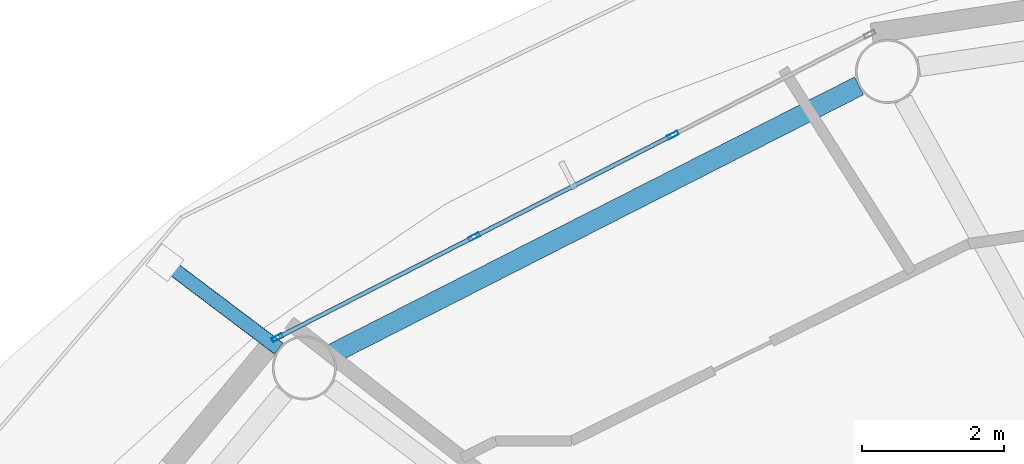
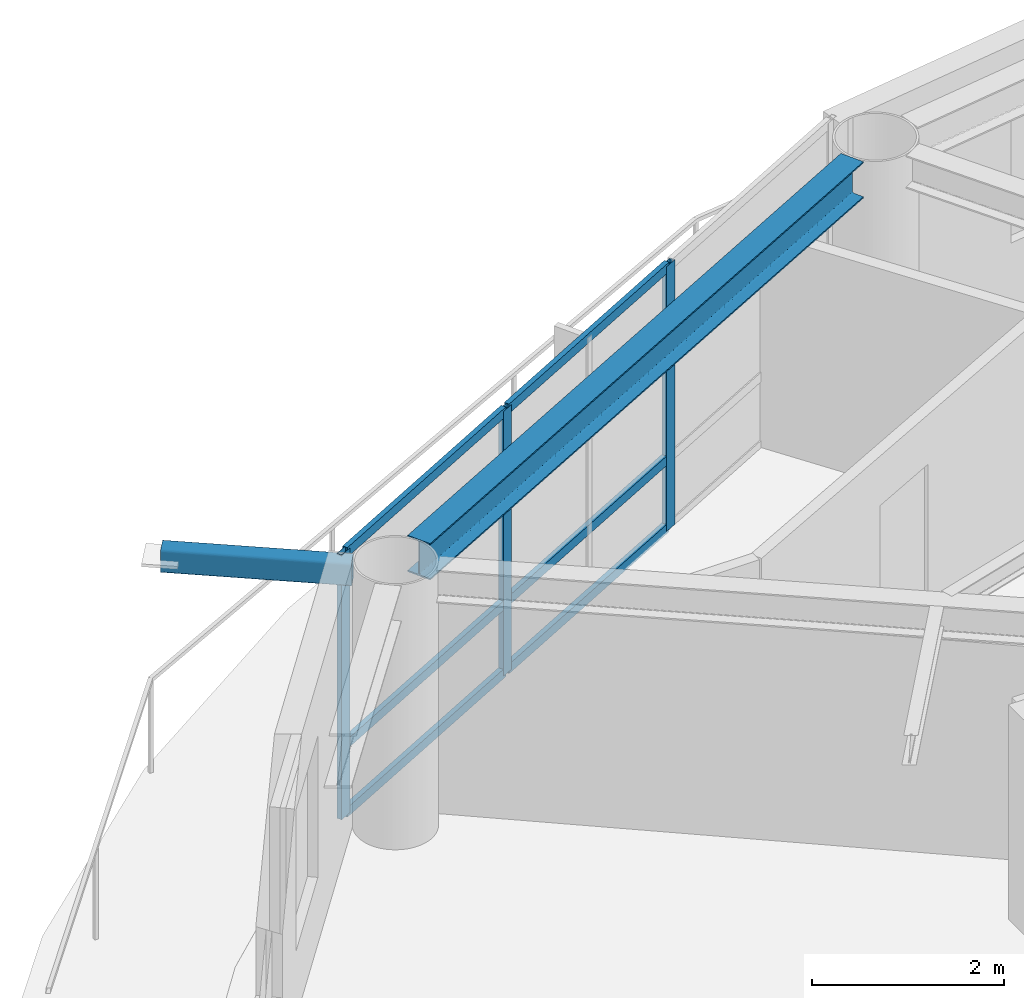
# One storey, part 8 of 22: 10 members, 1 beam, 1 element without a shape of its own.
"""IFC4 building model written with IfcOpenShell, lengths in metres."""

from ifc_helpers import new_model, si_unit, direction, frame, origin, origin_2d, place, context, subcontext, project, spatial, hollow_rectangle, i_section, extrude, material, layer, layer_set, material_profile, profile_set, type_object, element, aggregate, save


model = new_model("IFC4")

# Units and contexts
model_context = context("Model", 3, precision=1e-05, world=origin(), true_north=direction((0.0, 1.0)))
body_context = subcontext(model_context, "Body", "Model", "MODEL_VIEW")
ifc_project = project(units=[si_unit("LENGTHUNIT", "METRE"), si_unit("AREAUNIT", "SQUARE_METRE"), si_unit("VOLUMEUNIT", "CUBIC_METRE"), si_unit("PLANEANGLEUNIT", "RADIAN"), si_unit("MASSUNIT", "GRAM", prefix="KILO")], contexts=[model_context])

# Site, building, storey
site_placement = place(None, origin())
site = spatial("IfcSite", under=ifc_project, at=site_placement, CompositionType="ELEMENT")
building_placement = place(site_placement, origin())
building = spatial("IfcBuilding", under=site, at=building_placement, Name="Sarneth Arch Tower", CompositionType="ELEMENT")
storey_placement = place(building_placement, frame((0.0, 0.0, 301.800048828125)))
storey = spatial("IfcBuildingStorey", under=building, at=storey_placement, Name="L78", CompositionType="ELEMENT", Elevation=301.800048828125)

# Beam
ifc_material_1 = material(Name="Steel S355", Category="steel")
ifc_material_profile_1 = material_profile(ifc_material_1, i_section(OverallWidth=0.280029296875, OverallDepth=0.462890625, WebThickness=0.0107421875, FlangeThickness=0.017333984375, FilletRadius=0.01806640625, at=origin_2d()), Name="W460x113")
ifc_profile_set_1 = profile_set([ifc_material_profile_1], Name="Steel S355")
beam_type = type_object("IfcBeamType", Name="BM-RAD-460A", PredefinedType="BEAM", material=ifc_profile_set_1)
beam_placement = place(storey_placement, frame((37.80810546875, 59.534423828125, 3.138427734375), z_axis=(-0.891376248079, -0.453264144138, 0.0), x_axis=(0.453264144138, -0.891376248079, 0.0)))
element("IfcBeam", 1, at=beam_placement, inside=storey, type_object=beam_type, Name="L78 Perimeter spandrel beam 06", PredefinedType="BEAM", context=body_context, shape_type="SweptSolid", body=[
    extrude(i_section(OverallWidth=0.280029296875, OverallDepth=0.462890625, WebThickness=0.0107421875, FlangeThickness=0.017333984375, FilletRadius=0.01806640625, at=origin_2d()), origin(), (0.0, 0.0, 1.0), 8.281982421875),
])

# Curtain wall, members
ifc_material_2 = material(Name="Anodised aluminium Type AA25 and solar-control low-e laminated IGU", Category="aluminium")
ifc_layer = layer(ifc_material_2, 0.179931640625)
ifc_layer_set = layer_set([ifc_layer], Name="Anodised aluminium Type AA25 and solar-control low-e laminated IGU")
curtain_wall_type = type_object("IfcCurtainWallType", Name="CW-RES-HIGH", PredefinedType="NOTDEFINED", material=ifc_layer_set)
curtain_wall_placement = place(storey_placement, origin())
curtain_wall = element("IfcCurtainWall", 2, at=curtain_wall_placement, inside=storey, type_object=curtain_wall_type, Name="L78 Unitised curtain wall facet 06", PredefinedType="NOTDEFINED")
ifc_material_3 = material(Name="Anodised Aluminium 6063-T6", Category="aluminium")
ifc_material_profile_2 = material_profile(ifc_material_3, hollow_rectangle(XDim=0.06005859375, YDim=0.159912109375, WallThickness=0.00390625, at=origin_2d()), Name="AL-MULL-160x60x4")
ifc_profile_set_2 = profile_set([ifc_material_profile_2], Name="Anodised Aluminium 6063-T6")
member_type_1 = type_object("IfcMemberType", Name="CW-MULLION", PredefinedType="MULLION", material=ifc_profile_set_2)
member_1_placement = place(storey_placement, frame((35.197509765625, 58.844970703125, 0.0), z_axis=(0.0, 0.0, 1.0), x_axis=(0.455941901753, -0.890009540525, 0.0)))
member_1 = element("IfcMember", 3, at=member_1_placement, type_object=member_type_1, Name="CW-SYS-6 mullion 2", PredefinedType="MULLION", context=body_context, shape_type="SweptSolid", body=[
    extrude(hollow_rectangle(XDim=0.06005859375, YDim=0.159912109375, WallThickness=0.00390625, at=origin_2d()), origin(), (0.0, 0.0, 1.0), 3.369873046875),
])
member_2_placement = place(storey_placement, frame((32.407470703125, 57.415771484375, 0.0), z_axis=(0.0, 0.0, 1.0), x_axis=(0.455941901753, -0.890009540525, 0.0)))
member_2 = element("IfcMember", 4, at=member_2_placement, type_object=member_type_1, Name="CW-SYS-6 mullion 3", PredefinedType="MULLION", context=body_context, shape_type="SweptSolid", body=[
    extrude(hollow_rectangle(XDim=0.06005859375, YDim=0.159912109375, WallThickness=0.00390625, at=origin_2d()), origin(), (0.0, 0.0, 1.0), 3.369873046875),
])
member_3_placement = place(storey_placement, frame((29.644287109375, 56.000244140625, 0.0), z_axis=(0.0, 0.0, 1.0), x_axis=(0.455941901753, -0.890009540525, 0.0)))
member_3 = element("IfcMember", 5, at=member_3_placement, type_object=member_type_1, Name="CW-SYS-6 mullion 4", PredefinedType="MULLION", context=body_context, shape_type="SweptSolid", body=[
    extrude(hollow_rectangle(XDim=0.06005859375, YDim=0.159912109375, WallThickness=0.00390625, at=origin_2d()), origin(), (0.0, 0.0, 1.0), 3.369873046875),
])
ifc_material_4 = material(Name="Anodised Aluminium 6063-T6", Category="aluminium")
ifc_material_profile_3 = material_profile(ifc_material_4, hollow_rectangle(XDim=0.06005859375, YDim=0.1201171875, WallThickness=0.00390625, at=origin_2d()), Name="AL-TRAN-120x60x4")
ifc_profile_set_3 = profile_set([ifc_material_profile_3], Name="Anodised Aluminium 6063-T6")
member_type_2 = type_object("IfcMemberType", Name="CW-TRANSOM", PredefinedType="USERDEFINED", material=ifc_profile_set_3)
member_4_placement = place(storey_placement, frame((35.170654296875, 58.831298828125, 0.030029296875), z_axis=(-0.890017432405, -0.455926496286, 0.0), x_axis=(0.455926496286, -0.890017432405, 0.0)))
member_4 = element("IfcMember", 6, at=member_4_placement, type_object=member_type_2, Name="CW-SYS-6 transom 2.1", ObjectType="TRANSOM", PredefinedType="USERDEFINED", context=body_context, shape_type="SweptSolid", body=[
    extrude(hollow_rectangle(XDim=0.06005859375, YDim=0.1201171875, WallThickness=0.00390625, at=origin_2d()), origin(), (0.0, 0.0, 1.0), 3.07470703125),
])
member_5_placement = place(storey_placement, frame((35.170654296875, 58.831298828125, 0.89990234375), z_axis=(-0.890017432405, -0.455926496286, 0.0), x_axis=(0.455926496286, -0.890017432405, 0.0)))
member_5 = element("IfcMember", 7, at=member_5_placement, type_object=member_type_2, Name="CW-SYS-6 transom 2.2", ObjectType="TRANSOM", PredefinedType="USERDEFINED", context=body_context, shape_type="SweptSolid", body=[
    extrude(hollow_rectangle(XDim=0.06005859375, YDim=0.1201171875, WallThickness=0.00390625, at=origin_2d()), origin(), (0.0, 0.0, 1.0), 3.07470703125),
])
member_6_placement = place(storey_placement, frame((35.170654296875, 58.831298828125, 3.33984375), z_axis=(-0.890017432405, -0.455926496286, 0.0), x_axis=(0.455926496286, -0.890017432405, 0.0)))
member_6 = element("IfcMember", 8, at=member_6_placement, type_object=member_type_2, Name="CW-SYS-6 transom 2.3", ObjectType="TRANSOM", PredefinedType="USERDEFINED", context=body_context, shape_type="SweptSolid", body=[
    extrude(hollow_rectangle(XDim=0.06005859375, YDim=0.1201171875, WallThickness=0.00390625, at=origin_2d()), origin(), (0.0, 0.0, 1.0), 3.07470703125),
])
member_7_placement = place(storey_placement, frame((32.380859375, 57.402099609375, 0.030029296875), z_axis=(-0.890022732705, -0.455916149384, 0.0), x_axis=(0.455916149384, -0.890022732705, 0.0)))
member_7 = element("IfcMember", 9, at=member_7_placement, type_object=member_type_2, Name="CW-SYS-6 transom 3.1", ObjectType="TRANSOM", PredefinedType="USERDEFINED", context=body_context, shape_type="SweptSolid", body=[
    extrude(hollow_rectangle(XDim=0.06005859375, YDim=0.1201171875, WallThickness=0.00390625, at=origin_2d()), origin(), (0.0, 0.0, 1.0), 3.044921875),
])
member_8_placement = place(storey_placement, frame((32.380859375, 57.402099609375, 0.89990234375), z_axis=(-0.890022732705, -0.455916149384, 0.0), x_axis=(0.455916149384, -0.890022732705, 0.0)))
member_8 = element("IfcMember", 10, at=member_8_placement, type_object=member_type_2, Name="CW-SYS-6 transom 3.2", ObjectType="TRANSOM", PredefinedType="USERDEFINED", context=body_context, shape_type="SweptSolid", body=[
    extrude(hollow_rectangle(XDim=0.06005859375, YDim=0.1201171875, WallThickness=0.00390625, at=origin_2d()), origin(), (0.0, 0.0, 1.0), 3.044921875),
])
member_9_placement = place(storey_placement, frame((32.380859375, 57.402099609375, 3.33984375), z_axis=(-0.890022732705, -0.455916149384, 0.0), x_axis=(0.455916149384, -0.890022732705, 0.0)))
member_9 = element("IfcMember", 11, at=member_9_placement, type_object=member_type_2, Name="CW-SYS-6 transom 3.3", ObjectType="TRANSOM", PredefinedType="USERDEFINED", context=body_context, shape_type="SweptSolid", body=[
    extrude(hollow_rectangle(XDim=0.06005859375, YDim=0.1201171875, WallThickness=0.00390625, at=origin_2d()), origin(), (0.0, 0.0, 1.0), 3.044921875),
])
aggregate(curtain_wall, [member_1, member_2, member_3, member_4, member_5, member_6, member_7, member_8, member_9])

# Member
ifc_material_5 = material(Name="Steel S355", Category="steel")
ifc_material_profile_4 = material_profile(ifc_material_5, hollow_rectangle(XDim=0.199951171875, YDim=0.300048828125, WallThickness=0.012451171875, InnerFilletRadius=0.018798828125, OuterFilletRadius=0.03125, at=origin_2d()), Name="RHS300x200x12.5")
ifc_profile_set_4 = profile_set([ifc_material_profile_4], Name="Steel S355")
member_type_3 = type_object("IfcMemberType", Name="MEM-CANT-STRUT", PredefinedType="STRUT", material=ifc_profile_set_4)
member_10_placement = place(storey_placement, frame((29.665771484375, 55.84765625, 3.2099609375), z_axis=(-0.798022239728, 0.602627998769, 0.0), x_axis=(-0.602627998769, -0.798022239728, 0.0)))
element("IfcMember", 12, at=member_10_placement, inside=storey, type_object=member_type_3, Name="L78 Balcony cantilever bracket 07", PredefinedType="STRUT", context=body_context, shape_type="SweptSolid", body=[
    extrude(hollow_rectangle(XDim=0.199951171875, YDim=0.300048828125, WallThickness=0.012451171875, InnerFilletRadius=0.018798828125, OuterFilletRadius=0.03125, at=origin_2d()), origin(), (0.0, 0.0, 1.0), 2.004150390625),
])

save(model, "model.ifc")
